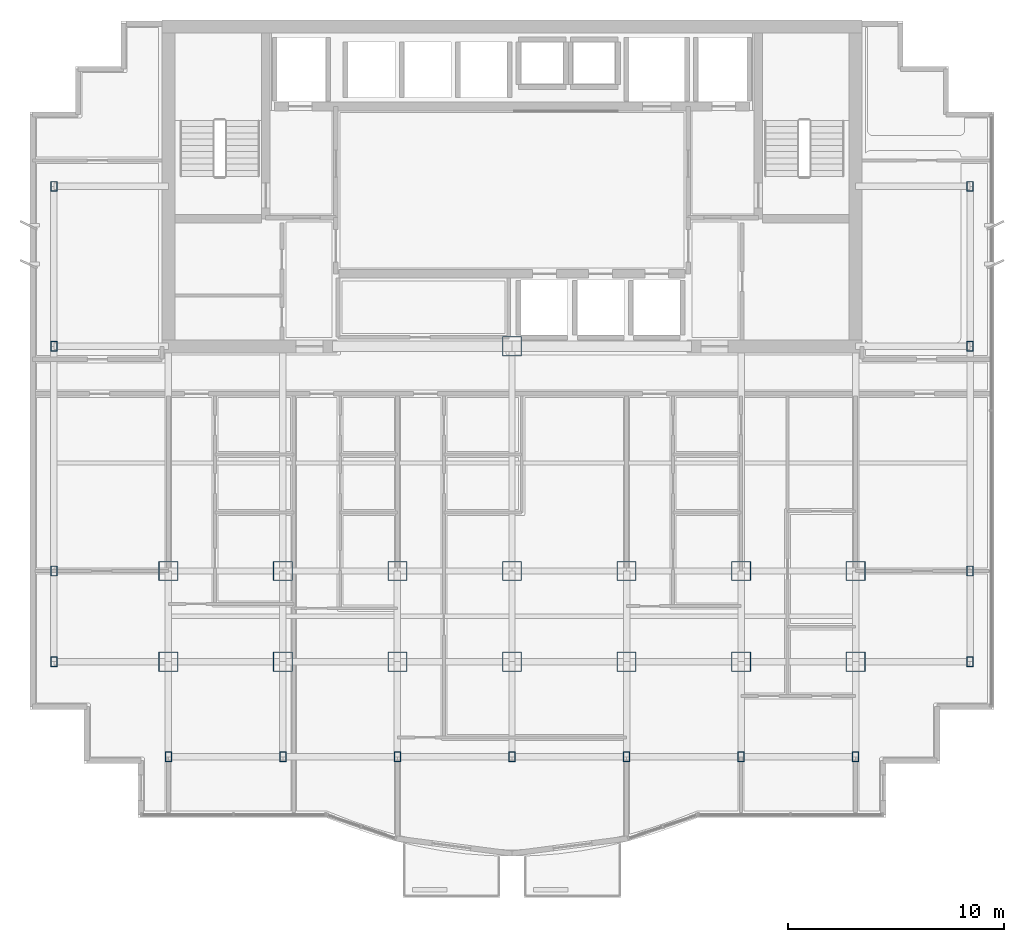
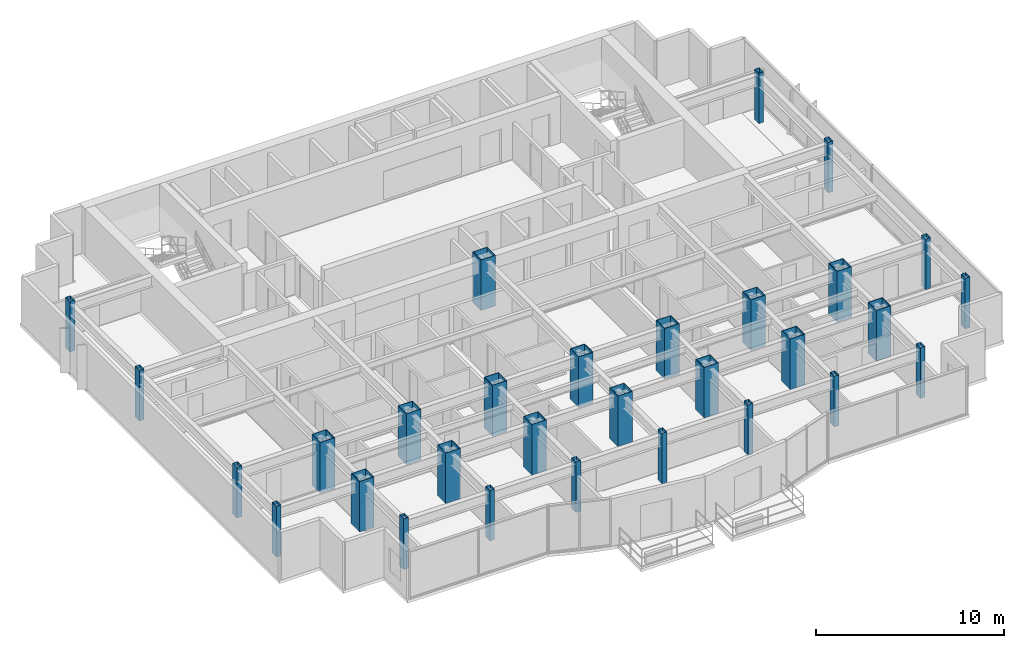
# One storey, part 1 of 13: 30 columns.
"""IFC4 building model written with IfcOpenShell, lengths in metres."""

from ifc_helpers import new_model, si_unit, direction, frame, origin, origin_2d, place, context, subcontext, project, spatial, hollow_rectangle, extrude, material, material_profile, profile_set, type_object, element, save


model = new_model("IFC4")

# Units and contexts
model_context = context("Model", 3, precision=1e-05, world=origin(), true_north=direction((0.0, 1.0)))
body_context = subcontext(model_context, "Body", "Model", "MODEL_VIEW")
ifc_project = project(units=[si_unit("LENGTHUNIT", "METRE"), si_unit("AREAUNIT", "SQUARE_METRE"), si_unit("VOLUMEUNIT", "CUBIC_METRE"), si_unit("PLANEANGLEUNIT", "RADIAN"), si_unit("MASSUNIT", "GRAM", prefix="KILO")], contexts=[model_context])

# Site, building, storey
site_placement = place(None, origin())
site = spatial("IfcSite", under=ifc_project, at=site_placement, CompositionType="ELEMENT")
building_placement = place(site_placement, origin())
building = spatial("IfcBuilding", under=site, at=building_placement, Name="Qianlan Lanfeng Residences", CompositionType="ELEMENT")
storey_placement = place(building_placement, frame((0.0, 0.0, 139.199951171875)))
storey = spatial("IfcBuildingStorey", under=building, at=storey_placement, Name="L37", CompositionType="ELEMENT", Elevation=139.199951171875)

# Columns
ifc_material = material(Name="Steel SN490B", Category="steel")
ifc_material_profile_1 = material_profile(ifc_material, hollow_rectangle(XDim=0.89990234375, YDim=0.89990234375, WallThickness=0.031982421875, at=origin_2d()), Name="BOX 900x900x32")
ifc_profile_set_1 = profile_set([ifc_material_profile_1], Name="Steel SN490B")
column_type_1 = type_object("IfcColumnType", Name="C-B1000", PredefinedType="COLUMN", material=ifc_profile_set_1)
for number, where, z_axis, x_axis, name in (
    (1, (26.5, 25.199951171875, 0.0), (0.0, 0.0, 1.0), (1.0, 0.0, 0.0), "L37 Structural Column CP_26.5_25.2"),
    (2, (10.60009765625, 14.800048828125, 0.0), (0.0, 0.0, 1.0), (1.0, 0.0, 0.0), "L37 Structural Column M_10.60_14.80"),
    (3, (10.60009765625, 10.60009765625, 0.0), (0.0, 0.0, 1.0), (1.0, 0.0, 0.0), "L37 Structural Column G_10.60_10.60"),
    (4, (15.89990234375, 14.800048828125, 0.0), (0.0, 0.0, 1.0), (1.0, 0.0, 0.0), "L37 Structural Column M_15.90_14.80"),
    (5, (15.89990234375, 10.60009765625, 0.0), (0.0, 0.0, 1.0), (1.0, 0.0, 0.0), "L37 Structural Column G_15.90_10.60"),
    (6, (21.199951171875, 14.800048828125, 0.0), (0.0, 0.0, 1.0), (1.0, 0.0, 0.0), "L37 Structural Column M_21.20_14.80"),
    (7, (21.199951171875, 10.60009765625, 0.0), (0.0, 0.0, 1.0), (1.0, 0.0, 0.0), "L37 Structural Column G_21.20_10.60"),
    (8, (26.5, 14.800048828125, 0.0), (0.0, 0.0, 1.0), (1.0, 0.0, 0.0), "L37 Structural Column M_26.50_14.80"),
    (9, (26.5, 10.60009765625, 0.0), (0.0, 0.0, 1.0), (1.0, 0.0, 0.0), "L37 Structural Column G_26.50_10.60"),
    (10, (31.800048828125, 14.800048828125, 0.0), (0.0, 0.0, 1.0), (1.0, 0.0, 0.0), "L37 Structural Column M_31.80_14.80"),
    (11, (31.800048828125, 10.60009765625, 0.0), (0.0, 0.0, 1.0), (1.0, 0.0, 0.0), "L37 Structural Column G_31.80_10.60"),
    (12, (37.10009765625, 14.800048828125, 0.0), (0.0, 0.0, 1.0), (1.0, 0.0, 0.0), "L37 Structural Column M_37.10_14.80"),
    (13, (37.10009765625, 10.60009765625, 0.0), (0.0, 0.0, 1.0), (1.0, 0.0, 0.0), "L37 Structural Column G_37.10_10.60"),
    (14, (42.39990234375, 14.800048828125, 0.0), (0.0, 0.0, 1.0), (1.0, 0.0, 0.0), "L37 Structural Column M_42.40_14.80"),
    (15, (42.39990234375, 10.60009765625, 0.0), (0.0, 0.0, 1.0), (1.0, 0.0, 0.0), "L37 Structural Column G_42.40_10.60"),
):
    element("IfcColumn", number, at=place(storey_placement, frame(where, z_axis=z_axis, x_axis=x_axis)), inside=storey, type_object=column_type_1, Name=name, PredefinedType="COLUMN", context=body_context, shape_type="SweptSolid", body=[
        extrude(hollow_rectangle(XDim=0.89990234375, YDim=0.89990234375, WallThickness=0.031982421875, at=origin_2d()), origin(), (0.0, 0.0, 1.0), 3.300048828125),
    ])
ifc_material_profile_2 = material_profile(ifc_material, hollow_rectangle(XDim=0.300048828125, YDim=0.449951171875, WallThickness=0.01611328125, at=origin_2d()), Name="RHS 450x300x16")
ifc_profile_set_2 = profile_set([ifc_material_profile_2], Name="Steel SN490B")
column_type_2 = type_object("IfcColumnType", Name="CE-B950", PredefinedType="COLUMN", material=ifc_profile_set_2)
for number, where, z_axis, x_axis, name in (
    (16, (10.60009765625, 6.199951171875, 0.0), (0.0, 0.0, 1.0), (1.0, 0.0, 0.0), "L37 Structural Column S_10.60_6.20"),
    (17, (15.89990234375, 6.199951171875, 0.0), (0.0, 0.0, 1.0), (1.0, 0.0, 0.0), "L37 Structural Column S_15.90_6.20"),
    (18, (21.199951171875, 6.199951171875, 0.0), (0.0, 0.0, 1.0), (1.0, 0.0, 0.0), "L37 Structural Column S_21.20_6.20"),
    (19, (26.5, 6.199951171875, 0.0), (0.0, 0.0, 1.0), (1.0, 0.0, 0.0), "L37 Structural Column S_26.50_6.20"),
    (20, (31.800048828125, 6.199951171875, 0.0), (0.0, 0.0, 1.0), (1.0, 0.0, 0.0), "L37 Structural Column S_31.80_6.20"),
    (21, (37.10009765625, 6.199951171875, 0.0), (0.0, 0.0, 1.0), (1.0, 0.0, 0.0), "L37 Structural Column S_37.10_6.20"),
    (22, (42.39990234375, 6.199951171875, 0.0), (0.0, 0.0, 1.0), (1.0, 0.0, 0.0), "L37 Structural Column S_42.40_6.20"),
    (23, (5.300048828125, 10.60009765625, 0.0), (0.0, 0.0, 1.0), (1.0, 0.0, 0.0), "L37 Structural Column W_5.30_10.60"),
    (24, (5.300048828125, 14.800048828125, 0.0), (0.0, 0.0, 1.0), (1.0, 0.0, 0.0), "L37 Structural Column W_5.30_14.80"),
    (25, (5.300048828125, 25.199951171875, 0.0), (0.0, 0.0, 1.0), (1.0, 0.0, 0.0), "L37 Structural Column W_5.30_25.20"),
    (26, (5.300048828125, 32.60009765625, 0.0), (0.0, 0.0, 1.0), (1.0, 0.0, 0.0), "L37 Structural Column W_5.30_32.60"),
    (27, (47.699951171875, 10.60009765625, 0.0), (0.0, 0.0, 1.0), (1.0, 0.0, 0.0), "L37 Structural Column W_47.70_10.60"),
    (28, (47.699951171875, 14.800048828125, 0.0), (0.0, 0.0, 1.0), (1.0, 0.0, 0.0), "L37 Structural Column W_47.70_14.80"),
    (29, (47.699951171875, 25.199951171875, 0.0), (0.0, 0.0, 1.0), (1.0, 0.0, 0.0), "L37 Structural Column W_47.70_25.20"),
    (30, (47.699951171875, 32.60009765625, 0.0), (0.0, 0.0, 1.0), (1.0, 0.0, 0.0), "L37 Structural Column W_47.70_32.60"),
):
    element("IfcColumn", number, at=place(storey_placement, frame(where, z_axis=z_axis, x_axis=x_axis)), inside=storey, type_object=column_type_2, Name=name, PredefinedType="COLUMN", context=body_context, shape_type="SweptSolid", body=[
        extrude(hollow_rectangle(XDim=0.300048828125, YDim=0.449951171875, WallThickness=0.01611328125, at=origin_2d()), origin(), (0.0, 0.0, 1.0), 3.300048828125),
    ])

save(model, "model.ifc")
